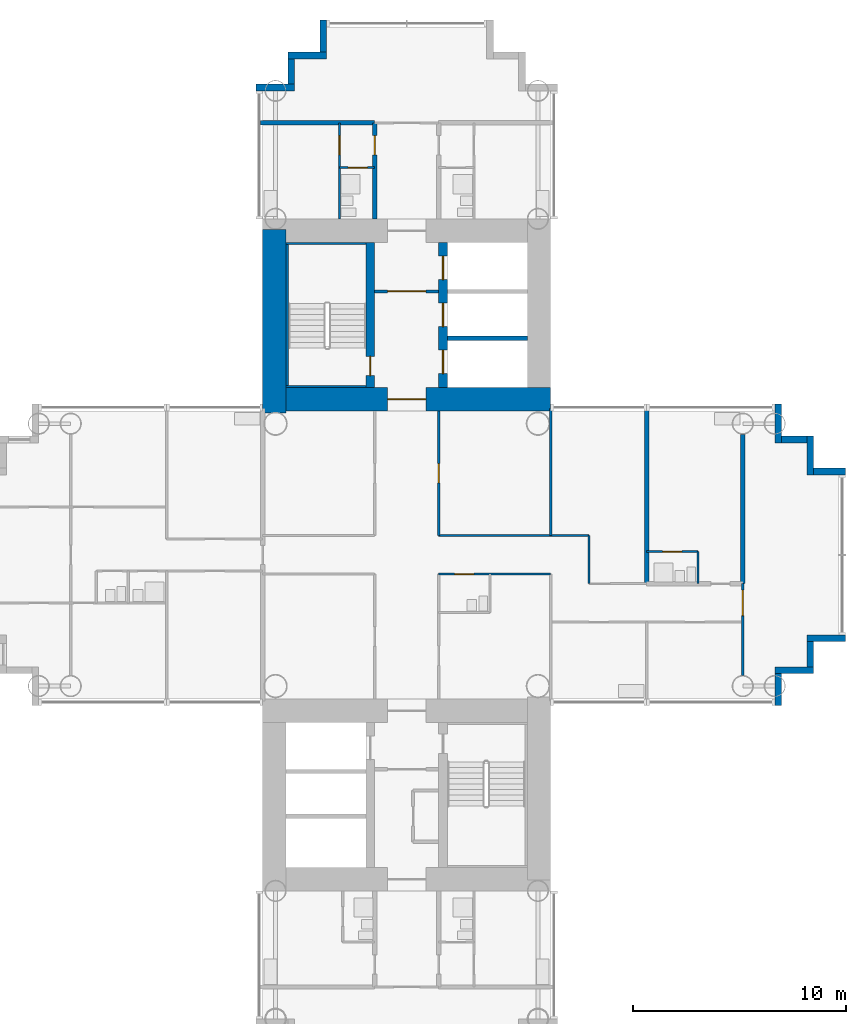
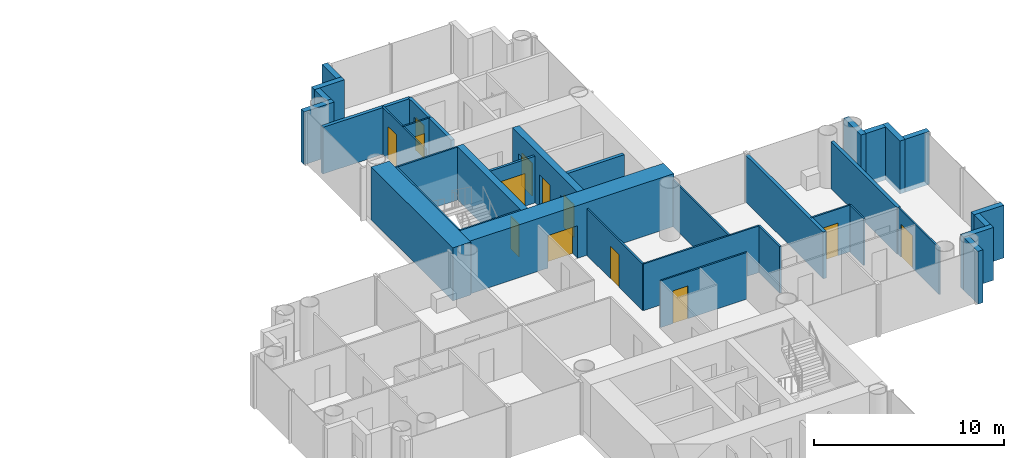
# One storey, part 14 of 21: 35 walls, 13 doors, 13 openings.
"""IFC4 building model written with IfcOpenShell, lengths in metres."""

from ifc_helpers import new_model, si_unit, direction, frame, frame_2d, origin, place, context, subcontext, project, spatial, rectangle, extrude, material, layer, layer_set, type_object, element, fill, save


model = new_model("IFC4")

# Units and contexts
model_context = context("Model", 3, precision=1e-05, world=origin(), true_north=direction((0.0, 1.0)))
body_context = subcontext(model_context, "Body", "Model", "MODEL_VIEW")
ifc_project = project(units=[si_unit("LENGTHUNIT", "METRE"), si_unit("AREAUNIT", "SQUARE_METRE"), si_unit("VOLUMEUNIT", "CUBIC_METRE"), si_unit("PLANEANGLEUNIT", "RADIAN"), si_unit("MASSUNIT", "GRAM", prefix="KILO")], contexts=[model_context])

# Site, building, storey
site_placement = place(None, origin())
site = spatial("IfcSite", under=ifc_project, at=site_placement, CompositionType="ELEMENT")
building_placement = place(site_placement, origin())
building = spatial("IfcBuilding", under=site, at=building_placement, Name="Ipe Terrace Towers", CompositionType="ELEMENT")
storey_placement = place(building_placement, frame((0.0, 0.0, 27.89990234375)))
storey = spatial("IfcBuildingStorey", under=building, at=storey_placement, Name="L06", CompositionType="ELEMENT", Elevation=27.89990234375)

# Walls
ifc_material_1 = material(Name="Concrete C40/50 with buff precast cladding", Category="concrete")
ifc_layer_1 = layer(ifc_material_1, 0.320068359375)
ifc_layer_set_1 = layer_set([ifc_layer_1], Name="BUFF CLADDING WALL 320")
wall_type_1 = type_object("IfcWallType", Name="BUFF CLADDING WALL 320", PredefinedType="STANDARD", material=ifc_layer_set_1)
wall_1_placement = place(storey_placement, frame((53.409912109375, -7.070068359375, -0.2998046875), z_axis=(0.0, 0.0, 1.0), x_axis=(0.0, 1.0, 0.0)))
element("IfcWall", 1, at=wall_1_placement, inside=storey, type_object=wall_type_1, Name="T2-W-L06-08a wall", PredefinedType="STANDARD", context=body_context, shape_type="SweptSolid", body=[
    extrude(rectangle(XDim=1.5, YDim=0.320068359375, at=frame_2d((0.75, 0.0))), origin(), (0.0, 0.0, 1.0), 3.39990234375),
])
wall_2_placement = place(storey_placement, frame((53.25, -5.409912109375, -0.2998046875), z_axis=(0.0, 0.0, 1.0), x_axis=(1.0, 0.0, 0.0)))
element("IfcWall", 2, at=wall_2_placement, inside=storey, type_object=wall_type_1, Name="T2-W-L06-09a wall", PredefinedType="STANDARD", context=body_context, shape_type="SweptSolid", body=[
    extrude(rectangle(XDim=1.820068359375, YDim=0.320068359375, at=frame_2d((0.91015625, 0.0))), origin(), (0.0, 0.0, 1.0), 3.39990234375),
])
wall_3_placement = place(storey_placement, frame((54.909912109375, -5.25, -0.2998046875), z_axis=(0.0, 0.0, 1.0), x_axis=(0.0, 1.0, 0.0)))
element("IfcWall", 3, at=wall_3_placement, inside=storey, type_object=wall_type_1, Name="T2-W-L06-10a wall", PredefinedType="STANDARD", context=body_context, shape_type="SweptSolid", body=[
    extrude(rectangle(XDim=1.179931640625, YDim=0.320068359375, at=frame_2d((0.58984375, 0.0))), origin(), (0.0, 0.0, 1.0), 3.39990234375),
])
wall_4_placement = place(storey_placement, frame((54.75, -3.909912109375, -0.2998046875), z_axis=(0.0, 0.0, 1.0), x_axis=(1.0, 0.0, 0.0)))
element("IfcWall", 4, at=wall_4_placement, inside=storey, type_object=wall_type_1, Name="T2-W-L06-11a wall", PredefinedType="STANDARD", context=body_context, shape_type="SweptSolid", body=[
    extrude(rectangle(XDim=1.820068359375, YDim=0.320068359375, at=frame_2d((0.91015625, 0.0))), origin(), (0.0, 0.0, 1.0), 3.39990234375),
])
wall_5_placement = place(storey_placement, frame((56.570068359375, 3.909912109375, -0.2998046875), z_axis=(0.0, 0.0, 1.0), x_axis=(-1.0, 0.0, 0.0)))
element("IfcWall", 5, at=wall_5_placement, inside=storey, type_object=wall_type_1, Name="T2-W-L06-13a wall", PredefinedType="STANDARD", context=body_context, shape_type="SweptSolid", body=[
    extrude(rectangle(XDim=1.5, YDim=0.320068359375, at=frame_2d((0.75, 0.0))), origin(), (0.0, 0.0, 1.0), 3.39990234375),
])
wall_6_placement = place(storey_placement, frame((54.909912109375, 3.75, -0.2998046875), z_axis=(0.0, 0.0, 1.0), x_axis=(0.0, 1.0, 0.0)))
element("IfcWall", 6, at=wall_6_placement, inside=storey, type_object=wall_type_1, Name="T2-W-L06-14a wall", PredefinedType="STANDARD", context=body_context, shape_type="SweptSolid", body=[
    extrude(rectangle(XDim=1.820068359375, YDim=0.320068359375, at=frame_2d((0.91015625, 0.0))), origin(), (0.0, 0.0, 1.0), 3.39990234375),
])
wall_7_placement = place(storey_placement, frame((54.75, 5.409912109375, -0.2998046875), z_axis=(0.0, 0.0, 1.0), x_axis=(-1.0, 0.0, 0.0)))
element("IfcWall", 7, at=wall_7_placement, inside=storey, type_object=wall_type_1, Name="T2-W-L06-15a wall", PredefinedType="STANDARD", context=body_context, shape_type="SweptSolid", body=[
    extrude(rectangle(XDim=1.179931640625, YDim=0.320068359375, at=frame_2d((0.58984375, 0.0))), origin(), (0.0, 0.0, 1.0), 3.39990234375),
])
wall_8_placement = place(storey_placement, frame((53.409912109375, 5.25, -0.2998046875), z_axis=(0.0, 0.0, 1.0), x_axis=(0.0, 1.0, 0.0)))
element("IfcWall", 8, at=wall_8_placement, inside=storey, type_object=wall_type_1, Name="T2-W-L06-16a wall", PredefinedType="STANDARD", context=body_context, shape_type="SweptSolid", body=[
    extrude(rectangle(XDim=1.820068359375, YDim=0.320068359375, at=frame_2d((0.91015625, 0.0))), origin(), (0.0, 0.0, 1.0), 3.39990234375),
])
wall_9_placement = place(storey_placement, frame((32.090087890625, 25.070068359375, -0.2998046875), z_axis=(0.0, 0.0, 1.0), x_axis=(0.0, -1.0, 0.0)))
element("IfcWall", 9, at=wall_9_placement, inside=storey, type_object=wall_type_1, Name="T2-W-L06-26a wall", PredefinedType="STANDARD", context=body_context, shape_type="SweptSolid", body=[
    extrude(rectangle(XDim=1.5, YDim=0.320068359375, at=frame_2d((0.75, 0.0))), origin(), (0.0, 0.0, 1.0), 3.39990234375),
])
wall_10_placement = place(storey_placement, frame((32.25, 23.409912109375, -0.2998046875), z_axis=(0.0, 0.0, 1.0), x_axis=(-1.0, 0.0, 0.0)))
element("IfcWall", 10, at=wall_10_placement, inside=storey, type_object=wall_type_1, Name="T2-W-L06-27a wall", PredefinedType="STANDARD", context=body_context, shape_type="SweptSolid", body=[
    extrude(rectangle(XDim=1.820068359375, YDim=0.320068359375, at=frame_2d((0.91015625, 0.0))), origin(), (0.0, 0.0, 1.0), 3.39990234375),
])
wall_11_placement = place(storey_placement, frame((30.590087890625, 23.25, -0.2998046875), z_axis=(0.0, 0.0, 1.0), x_axis=(0.0, -1.0, 0.0)))
element("IfcWall", 11, at=wall_11_placement, inside=storey, type_object=wall_type_1, Name="T2-W-L06-28a wall", PredefinedType="STANDARD", context=body_context, shape_type="SweptSolid", body=[
    extrude(rectangle(XDim=1.179931640625, YDim=0.320068359375, at=frame_2d((0.58984375, 0.0))), origin(), (0.0, 0.0, 1.0), 3.39990234375),
])
wall_12_placement = place(storey_placement, frame((30.75, 21.909912109375, -0.2998046875), z_axis=(0.0, 0.0, 1.0), x_axis=(-1.0, 0.0, 0.0)))
element("IfcWall", 12, at=wall_12_placement, inside=storey, type_object=wall_type_1, Name="T2-W-L06-29a wall", PredefinedType="STANDARD", context=body_context, shape_type="SweptSolid", body=[
    extrude(rectangle(XDim=1.820068359375, YDim=0.320068359375, at=frame_2d((0.91015625, 0.0))), origin(), (0.0, 0.0, 1.0), 3.39990234375),
])

# Wall, opening, door
ifc_material_2 = material(Name="Gypsum board partition", Category="plasterboard")
ifc_layer_2 = layer(ifc_material_2, 0.10009765625)
ifc_layer_set_2 = layer_set([ifc_layer_2], Name="Gypsum board partition 100 mm")
wall_type_2 = type_object("IfcWallType", Name="Gypsum board partition 100 mm", PredefinedType="PARTITIONING", material=ifc_layer_set_2)
wall_13_placement = place(storey_placement, frame((42.75, -0.89990234375, 0.0), z_axis=(0.0, 0.0, 1.0), x_axis=(-1.0, 0.0, 0.0)))
wall_13 = element("IfcWall", 13, at=wall_13_placement, inside=storey, type_object=wall_type_2, Name="Gypsum board partition T2 L06 W11", PredefinedType="PARTITIONING", context=body_context, shape_type="SweptSolid", body=[
    extrude(rectangle(XDim=5.25, YDim=0.10009765625, at=frame_2d((2.625, 0.0))), origin(), (0.0, 0.0, 1.0), 3.0),
])
opening_1_placement = place(wall_13_placement, frame((3.60009765625, 0.0, 0.0)))
opening_1 = element("IfcOpeningElement", 14, at=opening_1_placement, cuts=wall_13, Name="Opening T2-Z1A-01", PredefinedType="OPENING", context=body_context, shape_type="SweptSolid", body=[
    extrude(rectangle(XDim=0.89990234375, YDim=2.10009765625, at=frame_2d((0.449951171875, 1.050048828125))), frame((0.0, 0.06005859375, 0.0), z_axis=(0.0, -1.0, 0.0), x_axis=(1.0, 0.0, 0.0)), (0.0, 0.0, 1.0), 0.1201171875),
])
ifc_material_3 = material(Name="Timber door leaf", Category="wood")
door_type_1 = type_object("IfcDoorType", Name="Bathroom door 900 x 2100", OperationType="NOTDEFINED", PredefinedType="DOOR", material=ifc_material_3)
door_1_placement = place(opening_1_placement, origin())
door_1 = element("IfcDoor", 15, at=door_1_placement, inside=storey, type_object=door_type_1, Name="Bathroom door T2-Z1A-01", OperationType="SINGLE_SWING_LEFT", OverallHeight=2.10009765625, OverallWidth=0.89990234375, PredefinedType="DOOR", context=body_context, shape_type="SweptSolid", body=[
    extrude(rectangle(XDim=0.89990234375, YDim=2.10009765625, at=frame_2d((0.449951171875, 1.050048828125))), frame((0.0, 0.02490234375, 0.0), z_axis=(0.0, -1.0, 0.0), x_axis=(1.0, 0.0, 0.0)), (0.0, 0.0, 1.0), 0.050048828125),
])
fill(opening_1, door_1)

wall_14_placement = place(storey_placement, frame((49.64990234375, 0.14990234375, 0.0), z_axis=(0.0, 0.0, 1.0), x_axis=(-1.0, 0.0, 0.0)))
wall_14 = element("IfcWall", 16, at=wall_14_placement, inside=storey, type_object=wall_type_2, Name="Gypsum board partition T2 L06 W14", PredefinedType="PARTITIONING", context=body_context, shape_type="SweptSolid", body=[
    extrude(rectangle(XDim=2.39990234375, YDim=0.10009765625, at=frame_2d((1.199951171875, 0.0))), origin(), (0.0, 0.0, 1.0), 3.0),
])
opening_2_placement = place(wall_14_placement, frame((0.75, 0.0, 0.0)))
opening_2 = element("IfcOpeningElement", 17, at=opening_2_placement, cuts=wall_14, Name="Opening T2-Z1A-18", PredefinedType="OPENING", context=body_context, shape_type="SweptSolid", body=[
    extrude(rectangle(XDim=0.89990234375, YDim=2.10009765625, at=frame_2d((0.449951171875, 1.050048828125))), frame((0.0, 0.06005859375, 0.0), z_axis=(0.0, -1.0, 0.0), x_axis=(1.0, 0.0, 0.0)), (0.0, 0.0, 1.0), 0.1201171875),
])
door_2_placement = place(opening_2_placement, origin())
door_2 = element("IfcDoor", 18, at=door_2_placement, inside=storey, type_object=door_type_1, Name="Bathroom door T2-Z1A-18", OperationType="SINGLE_SWING_LEFT", OverallHeight=2.10009765625, OverallWidth=0.89990234375, PredefinedType="DOOR", context=body_context, shape_type="SweptSolid", body=[
    extrude(rectangle(XDim=0.89990234375, YDim=2.10009765625, at=frame_2d((0.449951171875, 1.050048828125))), frame((0.0, 0.02490234375, 0.0), z_axis=(0.0, -1.0, 0.0), x_axis=(1.0, 0.0, 0.0)), (0.0, 0.0, 1.0), 0.050048828125),
])
fill(opening_2, door_2)

# Wall
wall_15_placement = place(storey_placement, frame((44.550048828125, 0.89990234375, 0.0), z_axis=(0.0, 0.0, 1.0), x_axis=(-1.0, 0.0, 0.0)))
element("IfcWall", 19, at=wall_15_placement, inside=storey, type_object=wall_type_2, Name="Gypsum board partition T2 L06 W16", PredefinedType="PARTITIONING", context=body_context, shape_type="SweptSolid", body=[
    extrude(rectangle(XDim=7.050048828125, YDim=0.10009765625, at=frame_2d((3.52490234375, 0.0))), origin(), (0.0, 0.0, 1.0), 3.0),
])

# Wall, opening, door
wall_16_placement = place(storey_placement, frame((34.5, 18.14990234375, 0.0), z_axis=(0.0, 0.0, 1.0), x_axis=(-1.0, 0.0, 0.0)))
wall_16 = element("IfcWall", 20, at=wall_16_placement, inside=storey, type_object=wall_type_2, Name="Gypsum board partition T2 L06 W20", PredefinedType="PARTITIONING", context=body_context, shape_type="SweptSolid", body=[
    extrude(rectangle(XDim=1.64990234375, YDim=0.10009765625, at=frame_2d((0.824951171875, 0.0))), origin(), (0.0, 0.0, 1.0), 3.0),
])
opening_3_placement = place(wall_16_placement, frame((0.35009765625, 0.0, 0.0)))
opening_3 = element("IfcOpeningElement", 21, at=opening_3_placement, cuts=wall_16, Name="Opening T2-Z1A-24", PredefinedType="OPENING", context=body_context, shape_type="SweptSolid", body=[
    extrude(rectangle(XDim=0.89990234375, YDim=2.10009765625, at=frame_2d((0.449951171875, 1.050048828125))), frame((0.0, 0.06005859375, 0.0), z_axis=(0.0, -1.0, 0.0), x_axis=(1.0, 0.0, 0.0)), (0.0, 0.0, 1.0), 0.1201171875),
])
door_3_placement = place(opening_3_placement, origin())
door_3 = element("IfcDoor", 22, at=door_3_placement, inside=storey, type_object=door_type_1, Name="Bathroom door T2-Z1A-24", OperationType="SINGLE_SWING_RIGHT", OverallHeight=2.10009765625, OverallWidth=0.89990234375, PredefinedType="DOOR", context=body_context, shape_type="SweptSolid", body=[
    extrude(rectangle(XDim=0.89990234375, YDim=2.10009765625, at=frame_2d((0.449951171875, 1.050048828125))), frame((0.0, 0.02490234375, 0.0), z_axis=(0.0, -1.0, 0.0), x_axis=(1.0, 0.0, 0.0)), (0.0, 0.0, 1.0), 0.050048828125),
])
fill(opening_3, door_3)

wall_17_placement = place(storey_placement, frame((51.75, -5.64990234375, 0.0), z_axis=(0.0, 0.0, 1.0), x_axis=(0.0, 1.0, 0.0)))
wall_17 = element("IfcWall", 23, at=wall_17_placement, inside=storey, type_object=wall_type_2, Name="Gypsum board partition T2 L06 W24", PredefinedType="PARTITIONING", context=body_context, shape_type="SweptSolid", body=[
    extrude(rectangle(XDim=4.2998046875, YDim=0.10009765625, at=frame_2d((2.14990234375, 0.0))), origin(), (0.0, 0.0, 1.0), 3.0),
])
opening_4_placement = place(wall_17_placement, frame((2.800048828125, 0.0, 0.0)))
opening_4 = element("IfcOpeningElement", 24, at=opening_4_placement, cuts=wall_17, Name="Opening T2-Z1A-21", PredefinedType="OPENING", context=body_context, shape_type="SweptSolid", body=[
    extrude(rectangle(XDim=1.199951171875, YDim=2.10009765625, at=frame_2d((0.60009765625, 1.050048828125))), frame((0.0, 0.06005859375, 0.0), z_axis=(0.0, -1.0, 0.0), x_axis=(1.0, 0.0, 0.0)), (0.0, 0.0, 1.0), 0.1201171875),
])
ifc_material_4 = material(Name="Timber door leaf", Category="wood")
door_type_2 = type_object("IfcDoorType", Name="Lounge door 1200 x 2100", OperationType="NOTDEFINED", PredefinedType="DOOR", material=ifc_material_4)
door_4_placement = place(opening_4_placement, origin())
door_4 = element("IfcDoor", 25, at=door_4_placement, inside=storey, type_object=door_type_2, Name="Lounge door T2-Z1A-21", OperationType="SINGLE_SWING_RIGHT", OverallHeight=2.10009765625, OverallWidth=1.199951171875, PredefinedType="DOOR", context=body_context, shape_type="SweptSolid", body=[
    extrude(rectangle(XDim=1.199951171875, YDim=2.10009765625, at=frame_2d((0.60009765625, 1.050048828125))), frame((0.0, 0.02490234375, 0.0), z_axis=(0.0, -1.0, 0.0), x_axis=(1.0, 0.0, 0.0)), (0.0, 0.0, 1.0), 0.050048828125),
])
fill(opening_4, door_4)

# Walls
wall_18_placement = place(storey_placement, frame((49.64990234375, -1.35009765625, 0.0), z_axis=(0.0, 0.0, 1.0), x_axis=(0.0, 1.0, 0.0)))
element("IfcWall", 26, at=wall_18_placement, inside=storey, type_object=wall_type_2, Name="Gypsum board partition T2 L06 W26", PredefinedType="PARTITIONING", context=body_context, shape_type="SweptSolid", body=[
    extrude(rectangle(XDim=1.5, YDim=0.10009765625, at=frame_2d((0.75, 0.0))), origin(), (0.0, 0.0, 1.0), 3.0),
])
wall_19_placement = place(storey_placement, frame((44.550048828125, -1.35009765625, 0.0), z_axis=(0.0, 0.0, 1.0), x_axis=(0.0, 1.0, 0.0)))
element("IfcWall", 27, at=wall_19_placement, inside=storey, type_object=wall_type_2, Name="Gypsum board partition T2 L06 W29", PredefinedType="PARTITIONING", context=body_context, shape_type="SweptSolid", body=[
    extrude(rectangle(XDim=2.25, YDim=0.10009765625, at=frame_2d((1.125, 0.0))), origin(), (0.0, 0.0, 1.0), 3.0),
])
wall_20_placement = place(storey_placement, frame((42.75, 0.89990234375, 0.0), z_axis=(0.0, 0.0, 1.0), x_axis=(0.0, 1.0, 0.0)))
element("IfcWall", 28, at=wall_20_placement, inside=storey, type_object=wall_type_2, Name="Gypsum board partition T2 L06 W31", PredefinedType="PARTITIONING", context=body_context, shape_type="SweptSolid", body=[
    extrude(rectangle(XDim=5.9501953125, YDim=0.10009765625, at=frame_2d((2.97509765625, 0.0))), origin(), (0.0, 0.0, 1.0), 3.0),
])

# Wall, opening, door
wall_21_placement = place(storey_placement, frame((37.5, 0.89990234375, 0.0), z_axis=(0.0, 0.0, 1.0), x_axis=(0.0, 1.0, 0.0)))
wall_21 = element("IfcWall", 29, at=wall_21_placement, inside=storey, type_object=wall_type_2, Name="Gypsum board partition T2 L06 W36", PredefinedType="PARTITIONING", context=body_context, shape_type="SweptSolid", body=[
    extrude(rectangle(XDim=5.85009765625, YDim=0.10009765625, at=frame_2d((2.925048828125, 0.0))), origin(), (0.0, 0.0, 1.0), 3.0),
])
opening_5_placement = place(wall_21_placement, frame((2.47509765625, 0.0, 0.0)))
opening_5 = element("IfcOpeningElement", 30, at=opening_5_placement, cuts=wall_21, Name="Opening T2-Z1A-05", PredefinedType="OPENING", context=body_context, shape_type="SweptSolid", body=[
    extrude(rectangle(XDim=0.89990234375, YDim=2.10009765625, at=frame_2d((0.449951171875, 1.050048828125))), frame((0.0, 0.06005859375, 0.0), z_axis=(0.0, -1.0, 0.0), x_axis=(1.0, 0.0, 0.0)), (0.0, 0.0, 1.0), 0.1201171875),
])
ifc_material_5 = material(Name="Timber door leaf", Category="wood")
door_type_3 = type_object("IfcDoorType", Name="Lounge door 900 x 2100", OperationType="NOTDEFINED", PredefinedType="DOOR", material=ifc_material_5)
door_5_placement = place(opening_5_placement, origin())
door_5 = element("IfcDoor", 31, at=door_5_placement, inside=storey, type_object=door_type_3, Name="Lounge door T2-Z1A-05", OperationType="SINGLE_SWING_RIGHT", OverallHeight=2.10009765625, OverallWidth=0.89990234375, PredefinedType="DOOR", context=body_context, shape_type="SweptSolid", body=[
    extrude(rectangle(XDim=0.89990234375, YDim=2.10009765625, at=frame_2d((0.449951171875, 1.050048828125))), frame((0.0, 0.02490234375, 0.0), z_axis=(0.0, -1.0, 0.0), x_axis=(1.0, 0.0, 0.0)), (0.0, 0.0, 1.0), 0.050048828125),
])
fill(opening_5, door_5)

wall_22_placement = place(storey_placement, frame((32.85009765625, 15.75, 0.0), z_axis=(0.0, 0.0, 1.0), x_axis=(0.0, 1.0, 0.0)))
wall_22 = element("IfcWall", 32, at=wall_22_placement, inside=storey, type_object=wall_type_2, Name="Gypsum board partition T2 L06 W44", PredefinedType="PARTITIONING", context=body_context, shape_type="SweptSolid", body=[
    extrude(rectangle(XDim=4.5, YDim=0.10009765625, at=frame_2d((2.25, 0.0))), origin(), (0.0, 0.0, 1.0), 3.0),
])
opening_6_placement = place(wall_22_placement, frame((3.0, 0.0, 0.0)))
opening_6 = element("IfcOpeningElement", 33, at=opening_6_placement, cuts=wall_22, Name="Opening T2-Z1A-23", PredefinedType="OPENING", context=body_context, shape_type="SweptSolid", body=[
    extrude(rectangle(XDim=0.89990234375, YDim=2.10009765625, at=frame_2d((0.449951171875, 1.050048828125))), frame((0.0, 0.06005859375, 0.0), z_axis=(0.0, -1.0, 0.0), x_axis=(1.0, 0.0, 0.0)), (0.0, 0.0, 1.0), 0.1201171875),
])
ifc_material_6 = material(Name="Timber door leaf", Category="wood")
door_type_4 = type_object("IfcDoorType", Name="Bedroom door 900 x 2100", OperationType="NOTDEFINED", PredefinedType="DOOR", material=ifc_material_6)
door_6_placement = place(opening_6_placement, origin())
door_6 = element("IfcDoor", 34, at=door_6_placement, inside=storey, type_object=door_type_4, Name="Bedroom door T2-Z1A-23", OperationType="SINGLE_SWING_LEFT", OverallHeight=2.10009765625, OverallWidth=0.89990234375, PredefinedType="DOOR", context=body_context, shape_type="SweptSolid", body=[
    extrude(rectangle(XDim=0.89990234375, YDim=2.10009765625, at=frame_2d((0.449951171875, 1.050048828125))), frame((0.0, 0.02490234375, 0.0), z_axis=(0.0, -1.0, 0.0), x_axis=(1.0, 0.0, 0.0)), (0.0, 0.0, 1.0), 0.050048828125),
])
fill(opening_6, door_6)

ifc_material_7 = material(Name="Gypsum board partition", Category="plasterboard")
ifc_layer_3 = layer(ifc_material_7, 0.14990234375)
ifc_layer_set_3 = layer_set([ifc_layer_3], Name="Gypsum board partition 150 mm")
wall_type_3 = type_object("IfcWallType", Name="Gypsum board partition 150 mm", PredefinedType="PARTITIONING", material=ifc_layer_set_3)
wall_23_placement = place(storey_placement, frame((37.5, 12.35009765625, 0.0), z_axis=(0.0, 0.0, 1.0), x_axis=(-1.0, 0.0, 0.0)))
wall_23 = element("IfcWall", 35, at=wall_23_placement, inside=storey, type_object=wall_type_3, Name="Gypsum board partition T2 L06 t2c1-lobby-wall", PredefinedType="PARTITIONING", context=body_context, shape_type="SweptSolid", body=[
    extrude(rectangle(XDim=3.0, YDim=0.14990234375, at=frame_2d((1.5, 0.0))), origin(), (0.0, 0.0, 1.0), 3.0),
])
opening_7_placement = place(wall_23_placement, frame((0.60009765625, 0.0, 0.0)))
opening_7 = element("IfcOpeningElement", 36, at=opening_7_placement, cuts=wall_23, Name="Opening T2C1-VD", PredefinedType="OPENING", context=body_context, shape_type="SweptSolid", body=[
    extrude(rectangle(XDim=1.800048828125, YDim=2.10009765625, at=frame_2d((0.89990234375, 1.050048828125))), frame((0.0, 0.0849609375, 0.0), z_axis=(0.0, -1.0, 0.0), x_axis=(1.0, 0.0, 0.0)), (0.0, 0.0, 1.0), 0.169921875),
])
ifc_material_8 = material(Name="Fire-rated timber door leaf", Category="wood")
door_type_5 = type_object("IfcDoorType", Name="Lobby door 1800 x 2100 FD60", OperationType="NOTDEFINED", PredefinedType="DOOR", material=ifc_material_8)
door_7_placement = place(opening_7_placement, origin())
door_7 = element("IfcDoor", 37, at=door_7_placement, inside=storey, type_object=door_type_5, Name="Lobby door T2C1-VD", OperationType="SINGLE_SWING_LEFT", OverallHeight=2.10009765625, OverallWidth=1.800048828125, PredefinedType="DOOR", context=body_context, shape_type="SweptSolid", body=[
    extrude(rectangle(XDim=1.800048828125, YDim=2.10009765625, at=frame_2d((0.89990234375, 1.050048828125))), frame((0.0, 0.02490234375, 0.0), z_axis=(0.0, -1.0, 0.0), x_axis=(1.0, 0.0, 0.0)), (0.0, 0.0, 1.0), 0.050048828125),
])
fill(opening_7, door_7)

# Walls
ifc_material_9 = material(Name="Gypsum board party wall", Category="plasterboard")
ifc_layer_4 = layer(ifc_material_9, 0.199951171875)
ifc_layer_set_4 = layer_set([ifc_layer_4], Name="Gypsum board party wall 200 mm")
wall_type_4 = type_object("IfcWallType", Name="Gypsum board party wall 200 mm", PredefinedType="SOLIDWALL", material=ifc_layer_set_4)
wall_24_placement = place(storey_placement, frame((41.64990234375, 10.14990234375, 0.0), z_axis=(0.0, 0.0, 1.0), x_axis=(-1.0, 0.0, 0.0)))
element("IfcWall", 38, at=wall_24_placement, inside=storey, type_object=wall_type_4, Name="Gypsum board party wall T2 L06 t2c1-shaft-div1", PredefinedType="SOLIDWALL", context=body_context, shape_type="SweptSolid", body=[
    extrude(rectangle(XDim=3.75, YDim=0.199951171875, at=frame_2d((1.875, 0.0))), origin(), (0.0, 0.0, 1.0), 3.0),
])
wall_25_placement = place(storey_placement, frame((34.5, 20.25, 0.0), z_axis=(0.0, 0.0, 1.0), x_axis=(-1.0, 0.0, 0.0)))
element("IfcWall", 39, at=wall_25_placement, inside=storey, type_object=wall_type_4, Name="Gypsum board party wall T2 L06 W23", PredefinedType="SOLIDWALL", context=body_context, shape_type="SweptSolid", body=[
    extrude(rectangle(XDim=5.35009765625, YDim=0.199951171875, at=frame_2d((2.675048828125, 0.0))), origin(), (0.0, 0.0, 1.0), 3.0),
])
wall_26_placement = place(storey_placement, frame((51.75, -1.35009765625, 0.0), z_axis=(0.0, 0.0, 1.0), x_axis=(0.0, 1.0, 0.0)))
element("IfcWall", 40, at=wall_26_placement, inside=storey, type_object=wall_type_4, Name="Gypsum board party wall T2 L06 W25", PredefinedType="SOLIDWALL", context=body_context, shape_type="SweptSolid", body=[
    extrude(rectangle(XDim=7.0, YDim=0.199951171875, at=frame_2d((3.5, 0.0))), origin(), (0.0, 0.0, 1.0), 3.0),
])
wall_27_placement = place(storey_placement, frame((47.25, -1.35009765625, 0.0), z_axis=(0.0, 0.0, 1.0), x_axis=(0.0, 1.0, 0.0)))
element("IfcWall", 41, at=wall_27_placement, inside=storey, type_object=wall_type_4, Name="Gypsum board party wall T2 L06 W28", PredefinedType="SOLIDWALL", context=body_context, shape_type="SweptSolid", body=[
    extrude(rectangle(XDim=8.2001953125, YDim=0.199951171875, at=frame_2d((4.10009765625, 0.0))), origin(), (0.0, 0.0, 1.0), 3.0),
])

# Wall, opening, door
wall_28_placement = place(storey_placement, frame((34.5, 15.75, 0.0), z_axis=(0.0, 0.0, 1.0), x_axis=(0.0, 1.0, 0.0)))
wall_28 = element("IfcWall", 42, at=wall_28_placement, inside=storey, type_object=wall_type_4, Name="Gypsum board party wall T2 L06 W42", PredefinedType="SOLIDWALL", context=body_context, shape_type="SweptSolid", body=[
    extrude(rectangle(XDim=4.5, YDim=0.199951171875, at=frame_2d((2.25, 0.0))), origin(), (0.0, 0.0, 1.0), 3.0),
])
opening_8_placement = place(wall_28_placement, frame((3.0, 0.0, 0.0)))
opening_8 = element("IfcOpeningElement", 43, at=opening_8_placement, cuts=wall_28, Name="Opening T2-Z1A-22", PredefinedType="OPENING", context=body_context, shape_type="SweptSolid", body=[
    extrude(rectangle(XDim=0.89990234375, YDim=2.10009765625, at=frame_2d((0.449951171875, 1.050048828125))), frame((0.0, 0.10986328125, 0.0), z_axis=(0.0, -1.0, 0.0), x_axis=(1.0, 0.0, 0.0)), (0.0, 0.0, 1.0), 0.219970703125),
])
ifc_material_10 = material(Name="Fire-rated timber door leaf", Category="wood")
door_type_6 = type_object("IfcDoorType", Name="Flat entrance door 900 x 2100 FD30S", OperationType="NOTDEFINED", PredefinedType="DOOR", material=ifc_material_10)
door_8_placement = place(opening_8_placement, origin())
door_8 = element("IfcDoor", 44, at=door_8_placement, inside=storey, type_object=door_type_6, Name="Flat entrance door T2-Z1A-22", OperationType="SINGLE_SWING_LEFT", OverallHeight=2.10009765625, OverallWidth=0.89990234375, PredefinedType="DOOR", context=body_context, shape_type="SweptSolid", body=[
    extrude(rectangle(XDim=0.89990234375, YDim=2.10009765625, at=frame_2d((0.449951171875, 1.050048828125))), frame((0.0, 0.02490234375, 0.0), z_axis=(0.0, -1.0, 0.0), x_axis=(1.0, 0.0, 0.0)), (0.0, 0.0, 1.0), 0.050048828125),
])
fill(opening_8, door_8)

# Walls
ifc_material_11 = material(Name="Concrete C60/75", Category="concrete")
ifc_layer_5 = layer(ifc_material_11, 0.10009765625)
ifc_layer_set_5 = layer_set([ifc_layer_5], Name="RW100 CORE INFILL WALL 100 C60-75")
wall_type_5 = type_object("IfcWallType", Name="RW100 CORE INFILL WALL 100 C60-75", PredefinedType="SHEAR", material=ifc_layer_set_5)
wall_29_placement = place(storey_placement, frame((34.10009765625, 14.60009765625, 0.0), z_axis=(0.0, 0.0, 1.0), x_axis=(-1.0, 0.0, 0.0)))
element("IfcWall", 45, at=wall_29_placement, inside=storey, type_object=wall_type_5, Name="Core infill wall T2-C1-far", PredefinedType="SHEAR", context=body_context, shape_type="SweptSolid", body=[
    extrude(rectangle(XDim=3.75, YDim=0.10009765625, at=frame_2d((1.875, 0.0))), origin(), (0.0, 0.0, 1.0), 3.400146484375),
])
wall_30_placement = place(storey_placement, frame((30.39990234375, 7.949951171875, 0.0), z_axis=(0.0, 0.0, 1.0), x_axis=(0.0, 1.0, 0.0)))
element("IfcWall", 46, at=wall_30_placement, inside=storey, type_object=wall_type_5, Name="Core infill wall T2-C1-back", PredefinedType="SHEAR", context=body_context, shape_type="SweptSolid", body=[
    extrude(rectangle(XDim=6.60009765625, YDim=0.10009765625, at=frame_2d((3.300048828125, 0.0))), origin(), (0.0, 0.0, 1.0), 3.400146484375),
])
wall_31_placement = place(storey_placement, frame((34.10009765625, 7.89990234375, 0.0), z_axis=(0.0, 0.0, 1.0), x_axis=(-1.0, 0.0, 0.0)))
element("IfcWall", 47, at=wall_31_placement, inside=storey, type_object=wall_type_5, Name="Core infill wall T2-C1-near", PredefinedType="SHEAR", context=body_context, shape_type="SweptSolid", body=[
    extrude(rectangle(XDim=3.75, YDim=0.10009765625, at=frame_2d((1.875, 0.0))), origin(), (0.0, 0.0, 1.0), 3.400146484375),
])

# Wall, opening, door
ifc_material_12 = material(Name="Concrete C60/75", Category="concrete")
ifc_layer_6 = layer(ifc_material_12, 1.10009765625)
ifc_layer_set_6 = layer_set([ifc_layer_6], Name="RW1100 CORE WALL 1100 C60-75")
wall_type_6 = type_object("IfcWallType", Name="RW1100 CORE WALL 1100 C60-75", PredefinedType="SHEAR", material=ifc_layer_set_6)
wall_32_placement = place(storey_placement, frame((30.35009765625, 7.300048828125, 0.0), z_axis=(0.0, 0.0, 1.0), x_axis=(1.0, 0.0, 0.0)))
wall_32 = element("IfcWall", 48, at=wall_32_placement, inside=storey, type_object=wall_type_6, Name="Core wall T2-C1-Z1-W01", PredefinedType="SHEAR", context=body_context, shape_type="SweptSolid", body=[
    extrude(rectangle(XDim=12.39990234375, YDim=1.10009765625, at=frame_2d((6.199951171875, 0.0))), origin(), (0.0, 0.0, 1.0), 3.400146484375),
])
opening_9_placement = place(wall_32_placement, frame((4.75, 0.0, 0.0)))
opening_9 = element("IfcOpeningElement", 49, at=opening_9_placement, cuts=wall_32, Name="Opening T2C1-ND", PredefinedType="OPENING", context=body_context, shape_type="SweptSolid", body=[
    extrude(rectangle(XDim=1.800048828125, YDim=2.10009765625, at=frame_2d((0.89990234375, 1.050048828125))), frame((0.0, 0.56005859375, 0.0), z_axis=(0.0, -1.0, 0.0), x_axis=(1.0, 0.0, 0.0)), (0.0, 0.0, 1.0), 1.1201171875),
])
ifc_material_13 = material(Name="Fire-rated timber door leaf", Category="wood")
door_type_7 = type_object("IfcDoorType", Name="Fire door 1800 x 2100 FD30S", OperationType="NOTDEFINED", PredefinedType="DOOR", material=ifc_material_13)
door_9_placement = place(opening_9_placement, origin())
door_9 = element("IfcDoor", 50, at=door_9_placement, inside=storey, type_object=door_type_7, Name="Fire door T2C1-ND", OperationType="SINGLE_SWING_LEFT", OverallHeight=2.10009765625, OverallWidth=1.800048828125, PredefinedType="DOOR", context=body_context, shape_type="SweptSolid", body=[
    extrude(rectangle(XDim=1.800048828125, YDim=2.10009765625, at=frame_2d((0.89990234375, 1.050048828125))), frame((0.0, 0.02490234375, 0.0), z_axis=(0.0, -1.0, 0.0), x_axis=(1.0, 0.0, 0.0)), (0.0, 0.0, 1.0), 0.050048828125),
])
fill(opening_9, door_9)

# Wall
wall_33_placement = place(storey_placement, frame((29.800048828125, 15.248046875, 0.0), z_axis=(0.0, 0.0, 1.0), x_axis=(0.0, -1.0, 0.0)))
element("IfcWall", 51, at=wall_33_placement, inside=storey, type_object=wall_type_6, Name="Core wall T2-C1-Z1-W04", PredefinedType="SHEAR", context=body_context, shape_type="SweptSolid", body=[
    extrude(rectangle(XDim=8.595947265625, YDim=1.10009765625, at=frame_2d((4.2978515625, 0.0))), origin(), (0.0, 0.0, 1.0), 3.400146484375),
])

# Wall, opening, door
ifc_material_14 = material(Name="Concrete C60/75", Category="concrete")
ifc_layer_7 = layer(ifc_material_14, 0.39990234375)
ifc_layer_set_7 = layer_set([ifc_layer_7], Name="RW400 CORE SPINE WALL 400 C60-75")
wall_type_7 = type_object("IfcWallType", Name="RW400 CORE SPINE WALL 400 C60-75", PredefinedType="SHEAR", material=ifc_layer_set_7)
wall_34_placement = place(storey_placement, frame((34.300048828125, 7.85009765625, 0.0), z_axis=(0.0, 0.0, 1.0), x_axis=(0.0, 1.0, 0.0)))
wall_34 = element("IfcWall", 52, at=wall_34_placement, inside=storey, type_object=wall_type_7, Name="Core spine wall T2-C1-Z1-SW1", PredefinedType="SHEAR", context=body_context, shape_type="SweptSolid", body=[
    extrude(rectangle(XDim=6.7998046875, YDim=0.39990234375, at=frame_2d((3.39990234375, 0.0))), origin(), (0.0, 0.0, 1.0), 3.400146484375),
])
opening_10_placement = place(wall_34_placement, frame((0.550048828125, 0.0, 0.0)))
opening_10 = element("IfcOpeningElement", 53, at=opening_10_placement, cuts=wall_34, Name="Opening T2C1-SD", PredefinedType="OPENING", context=body_context, shape_type="SweptSolid", body=[
    extrude(rectangle(XDim=0.89990234375, YDim=2.10009765625, at=frame_2d((0.449951171875, 1.050048828125))), frame((0.0, 0.2099609375, 0.0), z_axis=(0.0, -1.0, 0.0), x_axis=(1.0, 0.0, 0.0)), (0.0, 0.0, 1.0), 0.419921875),
])
ifc_material_15 = material(Name="Fire-rated timber door leaf", Category="wood")
door_type_8 = type_object("IfcDoorType", Name="Stair door 900 x 2100 FD60", OperationType="NOTDEFINED", PredefinedType="DOOR", material=ifc_material_15)
door_10_placement = place(opening_10_placement, origin())
door_10 = element("IfcDoor", 54, at=door_10_placement, inside=storey, type_object=door_type_8, Name="Stair door T2C1-SD", OperationType="SINGLE_SWING_LEFT", OverallHeight=2.10009765625, OverallWidth=0.89990234375, PredefinedType="DOOR", context=body_context, shape_type="SweptSolid", body=[
    extrude(rectangle(XDim=0.89990234375, YDim=2.10009765625, at=frame_2d((0.449951171875, 1.050048828125))), frame((0.0, 0.02490234375, 0.0), z_axis=(0.0, -1.0, 0.0), x_axis=(1.0, 0.0, 0.0)), (0.0, 0.0, 1.0), 0.050048828125),
])
fill(opening_10, door_10)

# Wall, openings, doors
wall_35_placement = place(storey_placement, frame((37.699951171875, 7.85009765625, 0.0), z_axis=(0.0, 0.0, 1.0), x_axis=(0.0, 1.0, 0.0)))
wall_35 = element("IfcWall", 55, at=wall_35_placement, inside=storey, type_object=wall_type_7, Name="Core spine wall T2-C1-Z1-SW2", PredefinedType="SHEAR", context=body_context, shape_type="SweptSolid", body=[
    extrude(rectangle(XDim=6.7998046875, YDim=0.39990234375, at=frame_2d((3.39990234375, 0.0))), origin(), (0.0, 0.0, 1.0), 3.400146484375),
])
opening_11_placement = place(wall_35_placement, frame((0.64990234375, 0.0, 0.0)))
opening_11 = element("IfcOpeningElement", 56, at=opening_11_placement, cuts=wall_35, Name="Opening T2C1-LD1", PredefinedType="OPENING", context=body_context, shape_type="SweptSolid", body=[
    extrude(rectangle(XDim=1.10009765625, YDim=2.10009765625, at=frame_2d((0.550048828125, 1.050048828125))), frame((0.0, 0.2099609375, 0.0), z_axis=(0.0, -1.0, 0.0), x_axis=(1.0, 0.0, 0.0)), (0.0, 0.0, 1.0), 0.419921875),
])
opening_12_placement = place(wall_35_placement, frame((2.85009765625, 0.0, 0.0)))
opening_12 = element("IfcOpeningElement", 57, at=opening_12_placement, cuts=wall_35, Name="Opening T2C1-LD2", PredefinedType="OPENING", context=body_context, shape_type="SweptSolid", body=[
    extrude(rectangle(XDim=1.10009765625, YDim=2.10009765625, at=frame_2d((0.550048828125, 1.050048828125))), frame((0.0, 0.2099609375, 0.0), z_axis=(0.0, -1.0, 0.0), x_axis=(1.0, 0.0, 0.0)), (0.0, 0.0, 1.0), 0.419921875),
])
opening_13_placement = place(wall_35_placement, frame((5.050048828125, 0.0, 0.0)))
opening_13 = element("IfcOpeningElement", 58, at=opening_13_placement, cuts=wall_35, Name="Opening T2C1-LD3", PredefinedType="OPENING", context=body_context, shape_type="SweptSolid", body=[
    extrude(rectangle(XDim=1.10009765625, YDim=2.10009765625, at=frame_2d((0.550048828125, 1.050048828125))), frame((0.0, 0.2099609375, 0.0), z_axis=(0.0, -1.0, 0.0), x_axis=(1.0, 0.0, 0.0)), (0.0, 0.0, 1.0), 0.419921875),
])
ifc_material_16 = material(Name="Fire-rated timber door leaf", Category="wood")
door_type_9 = type_object("IfcDoorType", Name="Sliding door 1100 x 2100 FD60", OperationType="SLIDING_TO_LEFT", PredefinedType="DOOR", material=ifc_material_16)
door_11_placement = place(opening_11_placement, origin())
door_11 = element("IfcDoor", 59, at=door_11_placement, inside=storey, type_object=door_type_9, Name="Sliding door T2C1-LD1", OperationType="SLIDING_TO_LEFT", OverallHeight=2.10009765625, OverallWidth=1.10009765625, PredefinedType="DOOR", context=body_context, shape_type="SweptSolid", body=[
    extrude(rectangle(XDim=1.10009765625, YDim=2.10009765625, at=frame_2d((0.550048828125, 1.050048828125))), frame((0.0, 0.02490234375, 0.0), z_axis=(0.0, -1.0, 0.0), x_axis=(1.0, 0.0, 0.0)), (0.0, 0.0, 1.0), 0.050048828125),
])
fill(opening_11, door_11)
door_12_placement = place(opening_12_placement, origin())
door_12 = element("IfcDoor", 60, at=door_12_placement, inside=storey, type_object=door_type_9, Name="Sliding door T2C1-LD2", OperationType="SLIDING_TO_LEFT", OverallHeight=2.10009765625, OverallWidth=1.10009765625, PredefinedType="DOOR", context=body_context, shape_type="SweptSolid", body=[
    extrude(rectangle(XDim=1.10009765625, YDim=2.10009765625, at=frame_2d((0.550048828125, 1.050048828125))), frame((0.0, 0.02490234375, 0.0), z_axis=(0.0, -1.0, 0.0), x_axis=(1.0, 0.0, 0.0)), (0.0, 0.0, 1.0), 0.050048828125),
])
fill(opening_12, door_12)
door_13_placement = place(opening_13_placement, origin())
door_13 = element("IfcDoor", 61, at=door_13_placement, inside=storey, type_object=door_type_9, Name="Sliding door T2C1-LD3", OperationType="SLIDING_TO_LEFT", OverallHeight=2.10009765625, OverallWidth=1.10009765625, PredefinedType="DOOR", context=body_context, shape_type="SweptSolid", body=[
    extrude(rectangle(XDim=1.10009765625, YDim=2.10009765625, at=frame_2d((0.550048828125, 1.050048828125))), frame((0.0, 0.02490234375, 0.0), z_axis=(0.0, -1.0, 0.0), x_axis=(1.0, 0.0, 0.0)), (0.0, 0.0, 1.0), 0.050048828125),
])
fill(opening_13, door_13)

save(model, "model.ifc")
